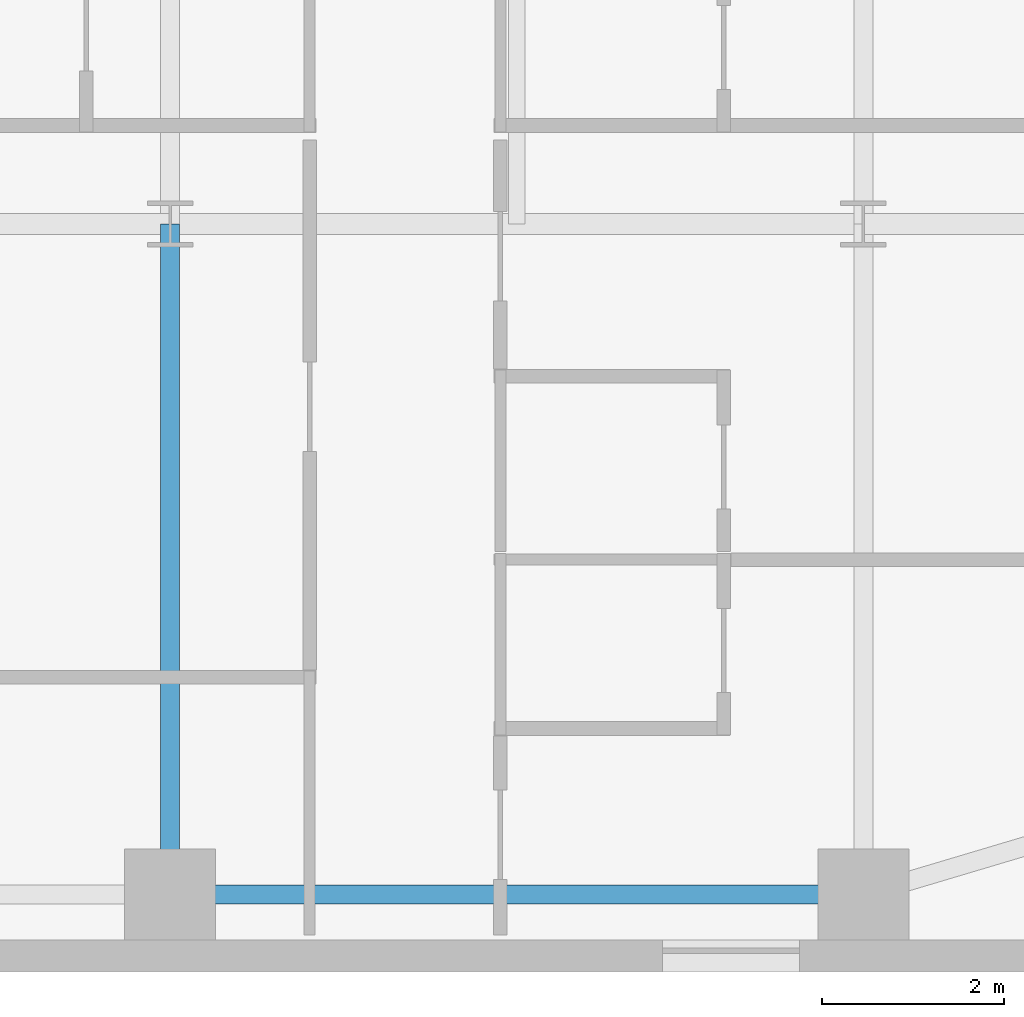
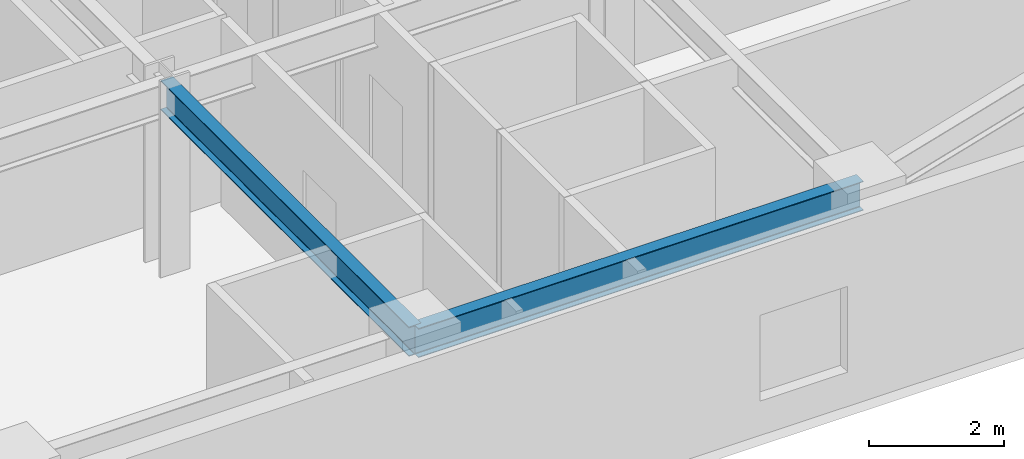
# One storey, part 6 of 16: 2 beams.
"""IFC4 building model written with IfcOpenShell, lengths in metres."""

from ifc_helpers import new_model, si_unit, direction, frame, origin, origin_2d, place, context, subcontext, project, spatial, i_section, extrude, source, transform, mapped, material, material_profile, profile_set, type_object, type_shapes, element, save


model = new_model("IFC4")

# Units and contexts
model_context = context("Model", 3, precision=1e-05, world=origin(), true_north=direction((0.0, 1.0)))
body_context = subcontext(model_context, "Body", "Model", "MODEL_VIEW")
ifc_project = project(units=[si_unit("LENGTHUNIT", "METRE"), si_unit("AREAUNIT", "SQUARE_METRE"), si_unit("VOLUMEUNIT", "CUBIC_METRE"), si_unit("PLANEANGLEUNIT", "RADIAN"), si_unit("MASSUNIT", "GRAM", prefix="KILO")], contexts=[model_context])

# Site, building, storey
site_placement = place(None, origin())
site = spatial("IfcSite", under=ifc_project, at=site_placement, CompositionType="ELEMENT")
building_placement = place(site_placement, origin())
building = spatial("IfcBuilding", under=site, at=building_placement, Name="Tolvann Quenvar Hotel", CompositionType="ELEMENT")
storey_placement = place(building_placement, frame((0.0, 0.0, 71.050048828125)))
storey = spatial("IfcBuildingStorey", under=building, at=storey_placement, Name="L17", CompositionType="ELEMENT", Elevation=71.050048828125)

# Beams
ifc_material = material(Name="Steel Grade 350", Category="steel")
ifc_material_profile_1 = material_profile(ifc_material, i_section(OverallWidth=0.208984375, OverallDepth=0.528076171875, WebThickness=0.009521484375, FlangeThickness=0.01318359375, FilletRadius=0.013916015625, at=origin_2d()), Name="530UB82")
ifc_profile_set_1 = profile_set([ifc_material_profile_1], Name="Steel Grade 350")
beam_type_1 = type_object("IfcBeamType", Name="BM_SPAND_530UB82", PredefinedType="SPANDREL", material=ifc_profile_set_1)
shared_shape_1 = source(origin(), body_context, "Body", "SweptSolid", [
    extrude(i_section(OverallWidth=0.208984375, OverallDepth=0.528076171875, WebThickness=0.009521484375, FlangeThickness=0.01318359375, FilletRadius=0.013916015625, at=origin_2d()), origin(), (0.0, 0.0, 1.0), 7.599853515625),
])
type_shapes(beam_type_1, [shared_shape_1])
beam_1_placement = place(storey_placement, frame((41.800048828125, 0.85009765625, 3.10595703125), z_axis=(1.0, 0.0, 0.0), x_axis=(0.0, 1.0, 0.0)))
element("IfcBeam", 1, at=beam_1_placement, inside=storey, type_object=beam_type_1, Name="BM-L17-EW-2-H2-I2", PredefinedType="SPANDREL", context=body_context, shape_type="MappedRepresentation", body=[
    mapped(shared_shape_1, transform((0.0, 0.0, 0.0), x_axis=(1.0, 0.0, 0.0), y_axis=(0.0, 1.0, 0.0), z_axis=(0.0, 0.0, 1.0), scale=1.0)),
])
ifc_material_profile_2 = material_profile(ifc_material, i_section(OverallWidth=0.208984375, OverallDepth=0.532958984375, WebThickness=0.01025390625, FlangeThickness=0.015625, FilletRadius=0.013916015625, at=origin_2d()), Name="530UB92")
ifc_profile_set_2 = profile_set([ifc_material_profile_2], Name="Steel Grade 350")
beam_type_2 = type_object("IfcBeamType", Name="BM_GIRD_530UB92", PredefinedType="BEAM", material=ifc_profile_set_2)
shared_shape_2 = source(origin(), body_context, "Body", "SweptSolid", [
    extrude(i_section(OverallWidth=0.208984375, OverallDepth=0.532958984375, WebThickness=0.01025390625, FlangeThickness=0.015625, FilletRadius=0.013916015625, at=origin_2d()), origin(), (0.0, 0.0, 1.0), 7.349853515625),
])
type_shapes(beam_type_2, [shared_shape_2])
beam_2_placement = place(storey_placement, frame((41.800048828125, 0.85009765625, 3.103515625), z_axis=(0.0, 1.0, 0.0), x_axis=(-1.0, 0.0, 0.0)))
element("IfcBeam", 2, at=beam_2_placement, inside=storey, type_object=beam_type_2, Name="BM-L17-NS-H2-H3", PredefinedType="BEAM", context=body_context, shape_type="MappedRepresentation", body=[
    mapped(shared_shape_2, transform((0.0, 0.0, 0.0), x_axis=(1.0, 0.0, 0.0), y_axis=(0.0, 1.0, 0.0), z_axis=(0.0, 0.0, 1.0), scale=1.0)),
])

save(model, "model.ifc")
